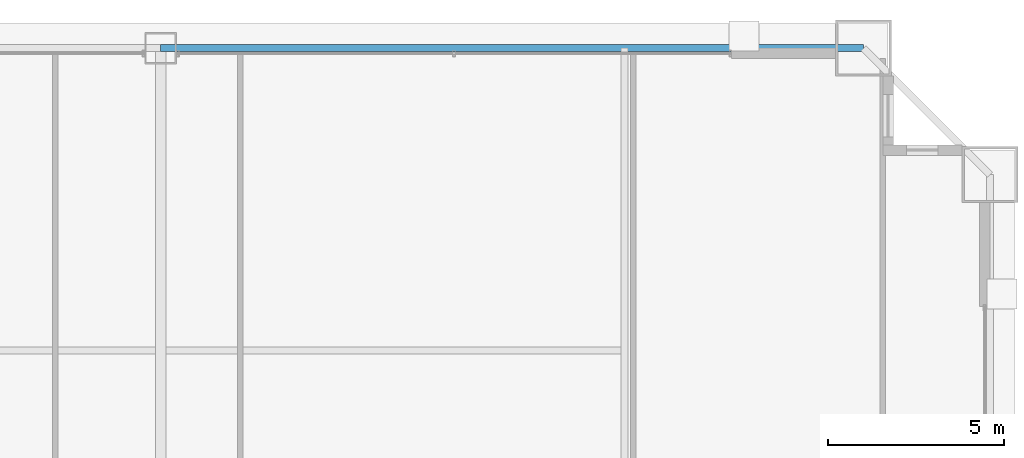
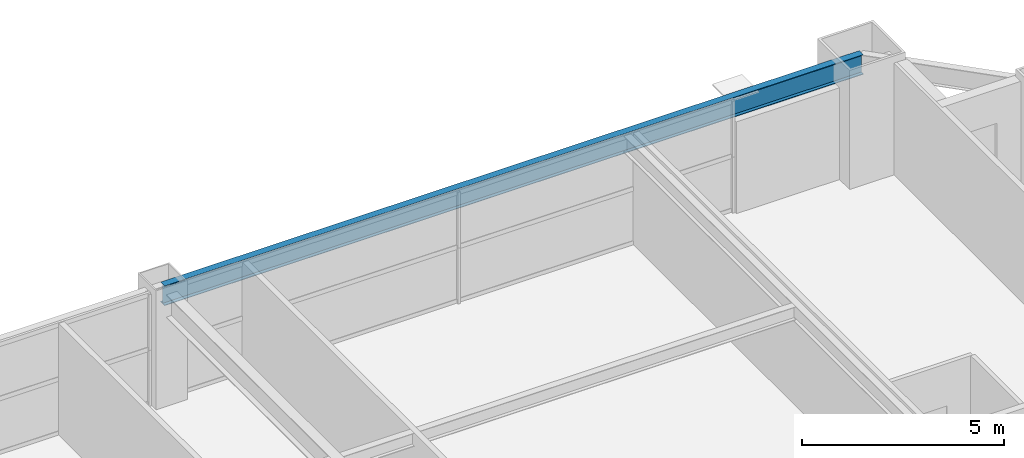
# One storey, part 32 of 39: 1 beam.
"""IFC4 building model written with IfcOpenShell, lengths in metres."""

from ifc_helpers import new_model, si_unit, direction, frame, origin, origin_2d, place, context, subcontext, project, spatial, i_section, extrude, source, transform, mapped, material, material_profile, profile_set, type_object, element, save


model = new_model("IFC4")

# Units and contexts
model_context = context("Model", 3, precision=1e-05, world=origin(), true_north=direction((0.0, 1.0)))
body_context = subcontext(model_context, "Body", "Model", "MODEL_VIEW")
ifc_project = project(units=[si_unit("LENGTHUNIT", "METRE"), si_unit("AREAUNIT", "SQUARE_METRE"), si_unit("VOLUMEUNIT", "CUBIC_METRE"), si_unit("PLANEANGLEUNIT", "RADIAN"), si_unit("MASSUNIT", "GRAM", prefix="KILO"), si_unit("THERMODYNAMICTEMPERATUREUNIT", "KELVIN"), si_unit("POWERUNIT", "WATT")], contexts=[model_context])

# Site, building, storey
site_placement = place(None, origin())
site = spatial("IfcSite", under=ifc_project, at=site_placement, CompositionType="ELEMENT")
building_placement = place(site_placement, origin())
building = spatial("IfcBuilding", under=site, at=building_placement, Name="Yuzanri Waterfront Tower", CompositionType="ELEMENT")
storey_placement = place(building_placement, frame((0.0, 0.0, 141.60009765625)))
storey = spatial("IfcBuildingStorey", under=building, at=storey_placement, Name="L37", CompositionType="ELEMENT", Elevation=141.60009765625)

# Beam
ifc_material = material(Name="Steel Q355B", Category="steel")
ifc_material_profile = material_profile(ifc_material, i_section(OverallWidth=0.199951171875, OverallDepth=0.60009765625, WebThickness=0.010986328125, FlangeThickness=0.01708984375, at=origin_2d()), Name="HN 600x200x11x17")
ifc_profile_set = profile_set([ifc_material_profile], Name="Steel Q355B")
beam_type = type_object("IfcBeamType", Name="Perimeter Spandrel Q355B HN 600x200", PredefinedType="SPANDREL", material=ifc_profile_set)
shared_shape = source(origin(), body_context, "Body", "SweptSolid", [
    extrude(i_section(OverallWidth=0.199951171875, OverallDepth=0.60009765625, WebThickness=0.010986328125, FlangeThickness=0.01708984375, at=origin_2d()), origin(), (0.0, 0.0, 1.0), 20.0),
])
beam_placement = place(storey_placement, frame((57.0, 49.39990234375, 3.079833984375), z_axis=(-1.0, 0.0, 0.0), x_axis=(0.0, -1.0, 0.0)))
element("IfcBeam", 1, at=beam_placement, inside=storey, type_object=beam_type, Name="L37 Perimeter Spandrel N3-N2", PredefinedType="SPANDREL", context=body_context, shape_type="MappedRepresentation", body=[
    mapped(shared_shape, transform((0.0, 0.0, 0.0), scale=1.0)),
])

save(model, "model.ifc")
